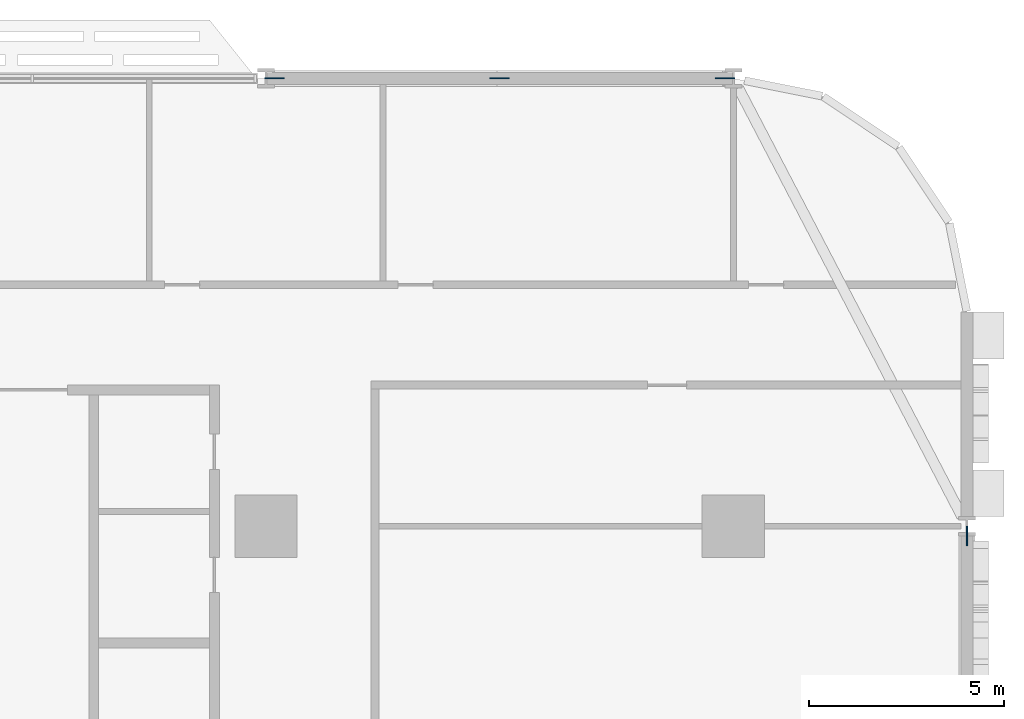
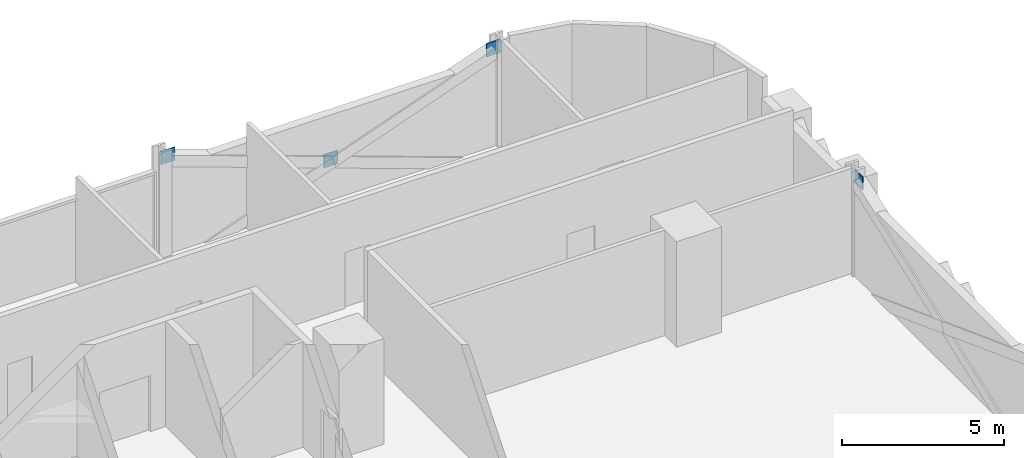
# One storey, part 21 of 27: 4 discrete accessories.
"""IFC4 building model written with IfcOpenShell, lengths in metres."""

from ifc_helpers import new_model, si_unit, direction, frame, origin, origin_2d, place, context, subcontext, project, spatial, rectangle, extrude, material, layer, layer_set, type_object, element, save


model = new_model("IFC4")

# Units and contexts
model_context = context("Model", 3, precision=1e-05, world=origin(), true_north=direction((0.0, 1.0)))
body_context = subcontext(model_context, "Body", "Model", "MODEL_VIEW")
ifc_project = project(units=[si_unit("LENGTHUNIT", "METRE"), si_unit("AREAUNIT", "SQUARE_METRE"), si_unit("VOLUMEUNIT", "CUBIC_METRE"), si_unit("PLANEANGLEUNIT", "RADIAN"), si_unit("MASSUNIT", "GRAM", prefix="KILO")], contexts=[model_context])

# Site, building, storey
site_placement = place(None, origin())
site = spatial("IfcSite", under=ifc_project, at=site_placement, CompositionType="ELEMENT")
building_placement = place(site_placement, origin())
building = spatial("IfcBuilding", under=site, at=building_placement, Name="Mahtab Terrace Research Tower", CompositionType="ELEMENT")
storey_placement = place(building_placement, frame((0.0, 0.0, 28.699951171875)))
storey = spatial("IfcBuildingStorey", under=building, at=storey_placement, Name="L06", CompositionType="ELEMENT", Elevation=28.699951171875)

# Discrete accessories
ifc_material = material(Name="Steel ASTM A992 Gr 50", Category="steel")
ifc_layer = layer(ifc_material, 0.030029296875)
ifc_layer_set = layer_set([ifc_layer], Name="Gusset plate 500x500x30")
discrete_accessory_type = type_object("IfcDiscreteAccessoryType", Name="Gusset plate 500x500x30", PredefinedType="USERDEFINED", material=ifc_layer_set)
for number, where, z_axis, x_axis, name in (
    (1, (30.2158203125, 23.0, 3.33154296875), (0.0, 0.0, 1.0), (1.0, 0.0, 0.0), "Gusset plate"),
    (2, (36.0, 23.0, 1.181640625), (0.0, 0.0, 1.0), (1.0, 0.0, 0.0), "Gusset plate"),
    (3, (41.7841796875, 23.0, 3.33154296875), (0.0, 0.0, 1.0), (1.0, 0.0, 0.0), "Gusset plate"),
    (4, (48.0, 11.251220703125, 3.33154296875), (0.0, 0.0, 1.0), (0.0, 1.0, 0.0), "Gusset plate"),
):
    element("IfcDiscreteAccessory", number, at=place(storey_placement, frame(where, z_axis=z_axis, x_axis=x_axis)), inside=storey, type_object=discrete_accessory_type, Name=name, ObjectType="GUSSET PLATE", PredefinedType="USERDEFINED", context=body_context, shape_type="SweptSolid", body=[
        extrude(rectangle(XDim=0.5, YDim=0.030029296875, at=origin_2d()), origin(), (0.0, 0.0, 1.0), 0.5),
    ])

save(model, "model.ifc")
